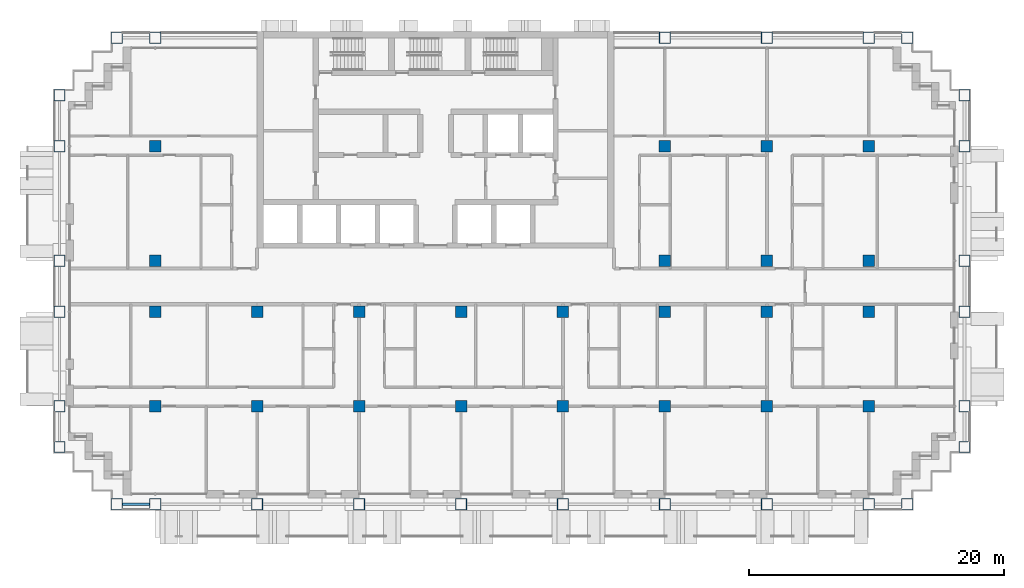
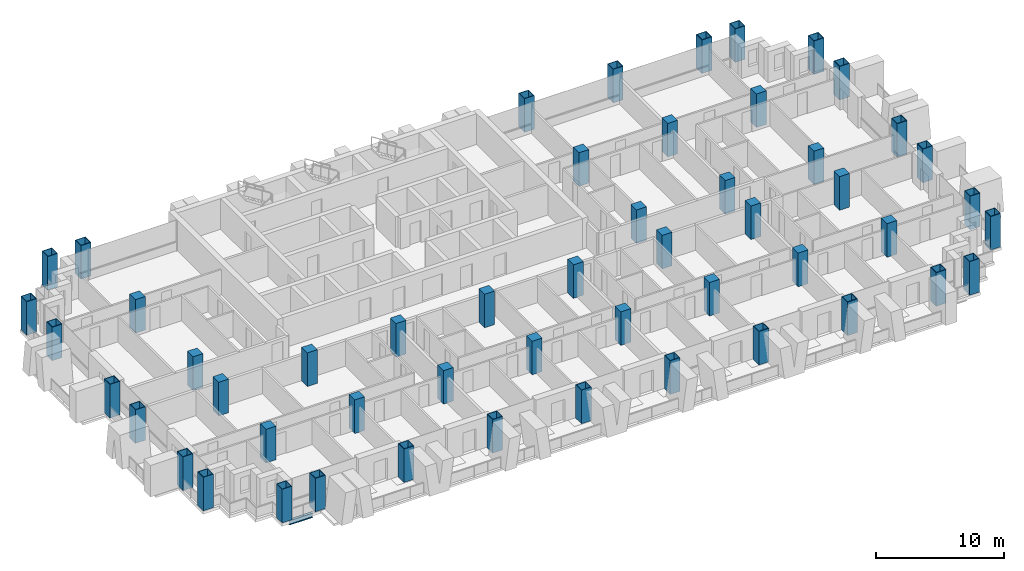
# One storey, part 1 of 18: 52 columns, 1 beam.
"""IFC4 building model written with IfcOpenShell, lengths in metres."""

from ifc_helpers import new_model, si_unit, direction, frame, origin, origin_2d, place, context, subcontext, project, spatial, rectangle, hollow_rectangle, i_section, extrude, material, material_profile, profile_set, type_object, element, save


model = new_model("IFC4")

# Units and contexts
model_context = context("Model", 3, precision=1e-05, world=origin(), true_north=direction((0.0, 1.0)))
body_context = subcontext(model_context, "Body", "Model", "MODEL_VIEW")
ifc_project = project(units=[si_unit("LENGTHUNIT", "METRE"), si_unit("AREAUNIT", "SQUARE_METRE"), si_unit("VOLUMEUNIT", "CUBIC_METRE"), si_unit("PLANEANGLEUNIT", "RADIAN"), si_unit("MASSUNIT", "GRAM", prefix="KILO")], contexts=[model_context])

# Site, building, storey
site_placement = place(None, origin())
site = spatial("IfcSite", under=ifc_project, at=site_placement, CompositionType="ELEMENT")
building_placement = place(site_placement, origin())
building = spatial("IfcBuilding", under=site, at=building_placement, Name="Vidyagriha Tower", CompositionType="ELEMENT")
storey_placement = place(building_placement, frame((0.0, 0.0, 80.699951171875)))
storey = spatial("IfcBuildingStorey", under=building, at=storey_placement, Name="L20", CompositionType="ELEMENT", Elevation=80.699951171875)

# Columns
ifc_material_1 = material(Name="Steel ASTM A572 Grade 50", Category="steel")
ifc_material_profile_1 = material_profile(ifc_material_1, hollow_rectangle(XDim=0.89990234375, YDim=0.89990234375, WallThickness=0.044921875, at=origin_2d()), Name="BOX 900x900x45")
ifc_profile_set_1 = profile_set([ifc_material_profile_1], Name="Steel ASTM A572 Grade 50")
column_type_1 = type_object("IfcColumnType", Name="Exoskeleton column BOX 900x900x45", PredefinedType="COLUMN", material=ifc_profile_set_1)
for number, where, name in (
    (1, (-25.0, -17.10009765625, 0.0), "st-col-L20-B2-001"),
    (2, (-22.0, -17.10009765625, 0.0), "st-col-L20-B2-002"),
    (3, (-14.0, -17.10009765625, 0.0), "st-col-L20-B2-003"),
    (4, (-6.0, -17.10009765625, 0.0), "st-col-L20-B2-004"),
    (5, (2.0, -17.10009765625, 0.0), "st-col-L20-B2-005"),
    (6, (10.0, -17.10009765625, 0.0), "st-col-L20-B2-006"),
    (7, (18.0, -17.10009765625, 0.0), "st-col-L20-B2-007"),
    (8, (26.0, -17.10009765625, 0.0), "st-col-L20-B2-008"),
    (9, (34.0, -17.10009765625, 0.0), "st-col-L20-B2-009"),
    (10, (37.0, -17.10009765625, 0.0), "st-col-L20-B2-010"),
    (11, (-29.5, -12.60009765625, 0.0), "st-col-L20-B2-011"),
    (12, (41.5, -12.60009765625, 0.0), "st-col-L20-B2-012"),
    (13, (-29.5, -9.39990234375, 0.0), "st-col-L20-B2-013"),
    (14, (41.5, -9.39990234375, 0.0), "st-col-L20-B2-022"),
    (15, (-29.5, -2.0, 0.0), "st-col-L20-B2-023"),
    (16, (41.5, -2.0, 0.0), "st-col-L20-B2-032"),
    (17, (-29.5, 2.0, 0.0), "st-col-L20-B2-033"),
    (18, (41.5, 2.0, 0.0), "st-col-L20-B2-038"),
    (19, (-29.5, 11.0, 0.0), "st-col-L20-B2-039"),
    (20, (41.5, 11.0, 0.0), "st-col-L20-B2-044"),
    (21, (-29.5, 15.0, 0.0), "st-col-L20-B2-045"),
    (22, (41.5, 15.0, 0.0), "st-col-L20-B2-046"),
    (23, (-25.0, 19.5, 0.0), "st-col-L20-B2-047"),
    (24, (-22.0, 19.5, 0.0), "st-col-L20-B2-048"),
    (25, (18.0, 19.5, 0.0), "st-col-L20-B2-049"),
    (26, (26.0, 19.5, 0.0), "st-col-L20-B2-050"),
    (27, (34.0, 19.5, 0.0), "st-col-L20-B2-051"),
    (28, (37.0, 19.5, 0.0), "st-col-L20-B2-052"),
):
    element("IfcColumn", number, at=place(storey_placement, frame(where)), inside=storey, type_object=column_type_1, Name=name, PredefinedType="COLUMN", context=body_context, shape_type="SweptSolid", body=[
        extrude(hollow_rectangle(XDim=0.89990234375, YDim=0.89990234375, WallThickness=0.044921875, at=origin_2d()), origin(), (0.0, 0.0, 1.0), 3.199951171875),
    ])
ifc_material_2 = material(Name="Concrete C80/95", Category="concrete")
ifc_material_profile_2 = material_profile(ifc_material_2, rectangle(XDim=0.89990234375, YDim=0.89990234375, at=origin_2d()), Name="RC 900x900")
ifc_profile_set_2 = profile_set([ifc_material_profile_2], Name="Concrete C80/95")
column_type_2 = type_object("IfcColumnType", Name="Frame column RC 900x900", PredefinedType="COLUMN", material=ifc_profile_set_2)
for number, where, name in (
    (29, (-22.0, -9.39990234375, 0.0), "st-col-L20-B2-014"),
    (30, (-14.0, -9.39990234375, 0.0), "st-col-L20-B2-015"),
    (31, (-6.0, -9.39990234375, 0.0), "st-col-L20-B2-016"),
    (32, (2.0, -9.39990234375, 0.0), "st-col-L20-B2-017"),
    (33, (10.0, -9.39990234375, 0.0), "st-col-L20-B2-018"),
    (34, (18.0, -9.39990234375, 0.0), "st-col-L20-B2-019"),
    (35, (26.0, -9.39990234375, 0.0), "st-col-L20-B2-020"),
    (36, (34.0, -9.39990234375, 0.0), "st-col-L20-B2-021"),
    (37, (-22.0, -2.0, 0.0), "st-col-L20-B2-024"),
    (38, (-14.0, -2.0, 0.0), "st-col-L20-B2-025"),
    (39, (-6.0, -2.0, 0.0), "st-col-L20-B2-026"),
    (40, (2.0, -2.0, 0.0), "st-col-L20-B2-027"),
    (41, (10.0, -2.0, 0.0), "st-col-L20-B2-028"),
    (42, (18.0, -2.0, 0.0), "st-col-L20-B2-029"),
    (43, (26.0, -2.0, 0.0), "st-col-L20-B2-030"),
    (44, (34.0, -2.0, 0.0), "st-col-L20-B2-031"),
    (45, (-22.0, 2.0, 0.0), "st-col-L20-B2-034"),
    (46, (18.0, 2.0, 0.0), "st-col-L20-B2-035"),
    (47, (26.0, 2.0, 0.0), "st-col-L20-B2-036"),
    (48, (34.0, 2.0, 0.0), "st-col-L20-B2-037"),
    (49, (-22.0, 11.0, 0.0), "st-col-L20-B2-040"),
    (50, (18.0, 11.0, 0.0), "st-col-L20-B2-041"),
    (51, (26.0, 11.0, 0.0), "st-col-L20-B2-042"),
    (52, (34.0, 11.0, 0.0), "st-col-L20-B2-043"),
):
    element("IfcColumn", number, at=place(storey_placement, frame(where)), inside=storey, type_object=column_type_2, Name=name, PredefinedType="COLUMN", context=body_context, shape_type="SweptSolid", body=[
        extrude(rectangle(XDim=0.89990234375, YDim=0.89990234375, at=origin_2d()), origin(), (0.0, 0.0, 1.0), 3.199951171875),
    ])

# Beam
ifc_material_3 = material(Name="Steel ASTM A992 Grade 50", Category="steel")
ifc_material_profile_3 = material_profile(ifc_material_3, i_section(OverallWidth=0.19189453125, OverallDepth=0.46240234375, WebThickness=0.010498046875, FlangeThickness=0.017578125, at=origin_2d()), Name="W18X60")
ifc_profile_set_3 = profile_set([ifc_material_profile_3], Name="Steel ASTM A992 Grade 50")
beam_type = type_object("IfcBeamType", Name="Edge beam W18X60", PredefinedType="SPANDREL", material=ifc_profile_set_3)
beam_placement = place(storey_placement, frame((-24.550048828125, -17.10009765625, -0.510986328125), z_axis=(1.0, 0.0, 0.0), x_axis=(0.0, 1.0, 0.0)))
element("IfcBeam", 53, at=beam_placement, inside=storey, type_object=beam_type, Name="st-beam-L20-S01", PredefinedType="SPANDREL", context=body_context, shape_type="SweptSolid", body=[
    extrude(i_section(OverallWidth=0.19189453125, OverallDepth=0.46240234375, WebThickness=0.010498046875, FlangeThickness=0.017578125, at=origin_2d()), origin(), (0.0, 0.0, 1.0), 2.10009765625),
])

save(model, "model.ifc")
